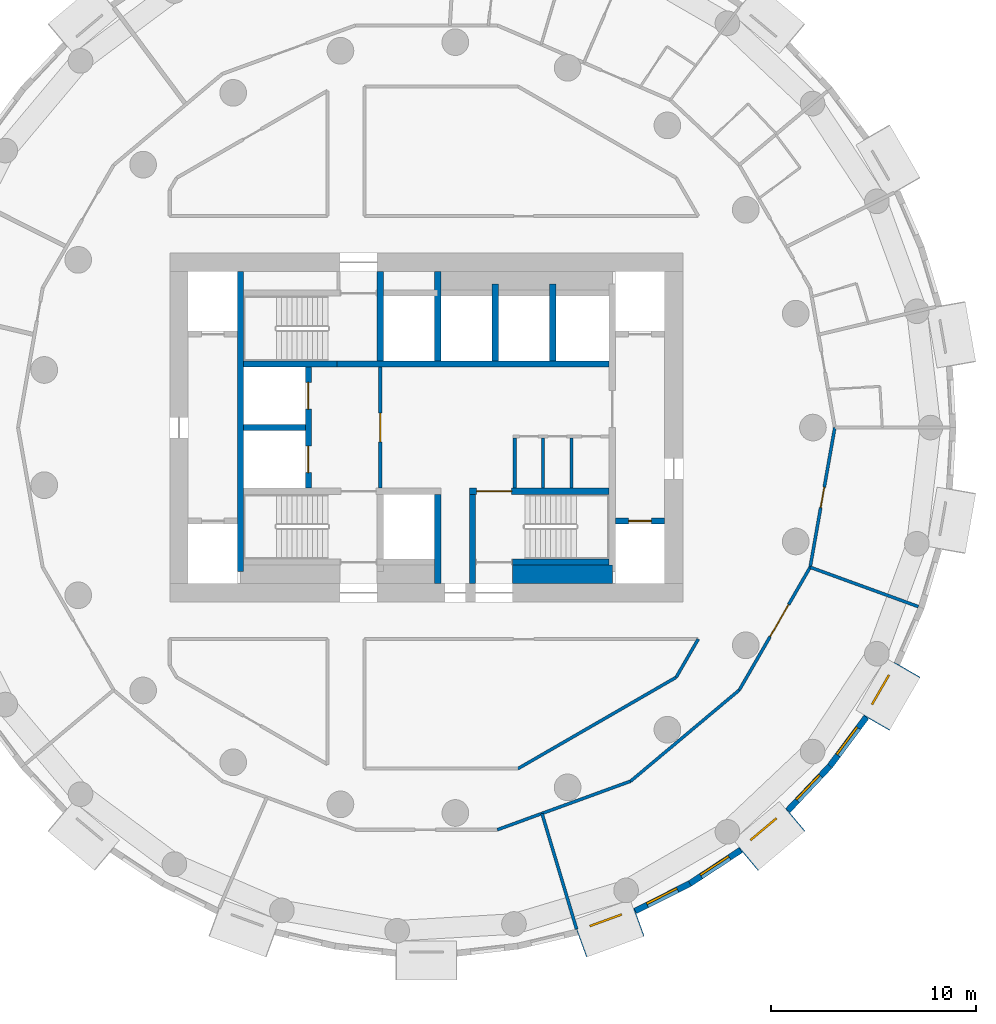
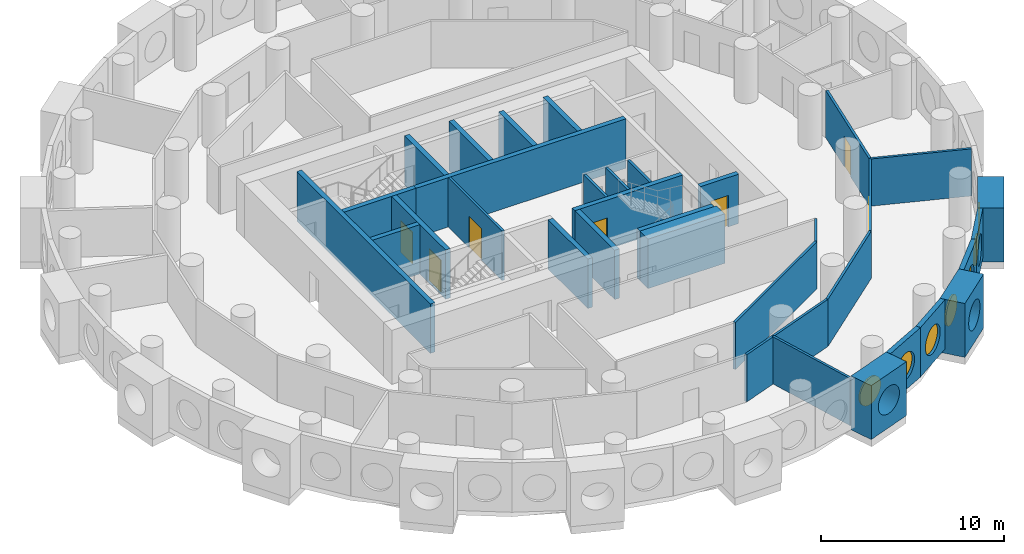
# One storey, part 4 of 10: 34 walls, 7 doors, 7 windows, 14 openings.
"""IFC4 building model written with IfcOpenShell, lengths in metres."""

from ifc_helpers import new_model, si_unit, direction, frame, frame_2d, origin, origin_2d, place, context, subcontext, project, spatial, rectangle, circle, extrude, material, layer, layer_set, type_object, element, fill, save


model = new_model("IFC4")

# Units and contexts
model_context = context("Model", 3, precision=1e-05, world=origin(), true_north=direction((0.0, 1.0)))
body_context = subcontext(model_context, "Body", "Model", "MODEL_VIEW")
ifc_project = project(units=[si_unit("LENGTHUNIT", "METRE"), si_unit("AREAUNIT", "SQUARE_METRE"), si_unit("VOLUMEUNIT", "CUBIC_METRE"), si_unit("PLANEANGLEUNIT", "RADIAN"), si_unit("MASSUNIT", "GRAM", prefix="KILO")], contexts=[model_context])

# Site, building, storey
site_placement = place(None, origin())
site = spatial("IfcSite", under=ifc_project, at=site_placement, CompositionType="ELEMENT")
building_placement = place(site_placement, origin())
building = spatial("IfcBuilding", under=site, at=building_placement, Name="Tracery Tower", CompositionType="ELEMENT")
storey_placement = place(building_placement, frame((0.0, 0.0, 212.39990234375)))
storey = spatial("IfcBuildingStorey", under=building, at=storey_placement, Name="L55", CompositionType="ELEMENT", Elevation=212.39990234375)

# Wall, opening, door
ifc_material_1 = material(Name="Plasterboard on steel studs", Category="steel")
ifc_layer_1 = layer(ifc_material_1, 0.14990234375)
ifc_layer_set_1 = layer_set([ifc_layer_1], Name="Core lobby partition 150")
wall_type_1 = type_object("IfcWallType", Name="Core lobby partition 150", PredefinedType="SOLIDWALL", material=ifc_layer_set_1)
wall_1_placement = place(storey_placement, frame((-2.25, -2.949951171875, 0.0), z_axis=(0.0, 0.0, 1.0), x_axis=(0.0, 1.0, 0.0)))
wall_1 = element("IfcWall", 1, at=wall_1_placement, inside=storey, type_object=wall_type_1, Name="L55 FF lobby E", PredefinedType="SOLIDWALL", context=body_context, shape_type="SweptSolid", body=[
    extrude(rectangle(XDim=5.89990234375, YDim=0.14990234375, at=frame_2d((2.949951171875, 0.0))), origin(), (0.0, 0.0, 1.0), 3.300048828125),
])
opening_1_placement = place(wall_1_placement, frame((2.25, 0.0, 0.0)))
opening_1 = element("IfcOpeningElement", 2, at=opening_1_placement, cuts=wall_1, Name="Opening KD8", PredefinedType="OPENING", context=body_context, shape_type="SweptSolid", body=[
    extrude(rectangle(XDim=1.39990234375, YDim=2.10009765625, at=frame_2d((0.699951171875, 1.050048828125))), frame((0.0, 0.074951171875, 0.0), z_axis=(0.0, -1.0, 0.0), x_axis=(1.0, 0.0, 0.0)), (0.0, 0.0, 1.0), 0.14990234375),
])
ifc_material_2 = material(Name="Steel fire door", Category="steel")
door_type_1 = type_object("IfcDoorType", Name="Core lobby door 1400 double", OperationType="NOTDEFINED", PredefinedType="DOOR", material=ifc_material_2)
door_1_placement = place(opening_1_placement, origin())
door_1 = element("IfcDoor", 3, at=door_1_placement, inside=storey, type_object=door_type_1, Name="Fire-fighting lobby door", OperationType="DOUBLE_DOOR_SINGLE_SWING", OverallHeight=2.10009765625, OverallWidth=1.39990234375, PredefinedType="DOOR", context=body_context, shape_type="SweptSolid", body=[
    extrude(rectangle(XDim=1.39990234375, YDim=2.10009765625, at=frame_2d((0.699951171875, 1.050048828125))), frame((0.0, 0.02490234375, 0.0), z_axis=(0.0, -1.0, 0.0), x_axis=(1.0, 0.0, 0.0)), (0.0, 0.0, 1.0), 0.050048828125),
])
fill(opening_1, door_1)

# Walls
ifc_material_3 = material(Name="Plasterboard on steel studs", Category="steel")
ifc_layer_2 = layer(ifc_material_3, 0.14990234375)
ifc_layer_set_2 = layer_set([ifc_layer_2], Name="Core room partition 150")
wall_type_2 = type_object("IfcWallType", Name="Core room partition 150", PredefinedType="SOLIDWALL", material=ifc_layer_set_2)
for number, where, z_axis, x_axis, name in (
    (4, (4.300048828125, -2.949951171875, 0.0), (0.0, 0.0, 1.0), (0.0, 1.0, 0.0), "L55 slot W"),
    (5, (5.675048828125, -2.949951171875, 0.0), (0.0, 0.0, 1.0), (0.0, 1.0, 0.0), "L55 slot sep 1"),
    (6, (7.074951171875, -2.949951171875, 0.0), (0.0, 0.0, 1.0), (0.0, 1.0, 0.0), "L55 slot sep 2"),
):
    element("IfcWall", number, at=place(storey_placement, frame(where, z_axis=z_axis, x_axis=x_axis)), inside=storey, type_object=wall_type_2, Name=name, PredefinedType="SOLIDWALL", context=body_context, shape_type="SweptSolid", body=[
        extrude(rectangle(XDim=2.449951171875, YDim=0.14990234375, at=frame_2d((1.22509765625, 0.0))), origin(), (0.0, 0.0, 1.0), 3.300048828125),
    ])
ifc_material_4 = material(Name="Concrete C50/60", Category="concrete")
ifc_layer_3 = layer(ifc_material_4, 0.89990234375)
ifc_layer_set_3 = layer_set([ifc_layer_3], Name="Core strip wall 900 C50")
wall_type_3 = type_object("IfcWallType", Name="Core strip wall 900 C50", PredefinedType="SOLIDWALL", material=ifc_layer_set_3)
wall_2_placement = place(storey_placement, frame((4.199951171875, -7.14990234375, 0.0), z_axis=(0.0, 0.0, 1.0), x_axis=(1.0, 0.0, 0.0)))
element("IfcWall", 7, at=wall_2_placement, inside=storey, type_object=wall_type_3, Name="L55 F thick S E", PredefinedType="SOLIDWALL", context=body_context, shape_type="SweptSolid", body=[
    extrude(rectangle(XDim=4.85009765625, YDim=0.89990234375, at=frame_2d((2.425048828125, 0.0))), origin(), (0.0, 0.0, 1.0), 3.300048828125),
])

# Wall, opening, window
ifc_material_5 = material(Name="Precast concrete C50/60", Category="concrete")
ifc_layer_4 = layer(ifc_material_5, 1.449951171875)
ifc_layer_set_4 = layer_set([ifc_layer_4], Name="Deep-set bay unit 3000 x 3600, slab edge 300")
wall_type_4 = type_object("IfcWallType", Name="Deep-set bay unit 3000 x 3600, slab edge 300", PredefinedType="ELEMENTEDWALL", material=ifc_layer_set_4)
wall_3_placement = place(storey_placement, frame((7.544189453125, -25.11328125, -0.2998046875), z_axis=(0.0, 0.0, 1.0), x_axis=(0.939686455819, 0.342037080957, 0.0)))
wall_3 = element("IfcWall", 8, at=wall_3_placement, inside=storey, type_object=wall_type_4, Name="Deep-set bay unit 44 at L55", PredefinedType="ELEMENTEDWALL", context=body_context, shape_type="SweptSolid", body=[
    extrude(rectangle(XDim=3.0, YDim=1.449951171875, at=frame_2d((1.5, 0.0))), origin(), (0.0, 0.0, 1.0), 3.599853515625),
])
opening_2_placement = place(wall_3_placement, frame((1.5, 0.0, 1.85009765625)))
opening_2 = element("IfcOpeningElement", 9, at=opening_2_placement, cuts=wall_3, Name="Opening WN1", PredefinedType="OPENING", context=body_context, shape_type="SweptSolid", body=[
    extrude(circle(Radius=0.9000244140625, at=origin_2d()), frame((0.0, 0.73486328125, 0.0), z_axis=(0.0, -1.0, 0.0), x_axis=(1.0, 0.0, 0.0)), (0.0, 0.0, 1.0), 1.469970703125),
])
ifc_material_6 = material(Name="Aluminium frame with tinted double glazing", Category="aluminium")
window_type = type_object("IfcWindowType", Name="Round window 1800", PartitioningType="SINGLE_PANEL", PredefinedType="WINDOW", material=ifc_material_6)
window_1_placement = place(opening_2_placement, origin())
window_1 = element("IfcWindow", 10, at=window_1_placement, inside=storey, type_object=window_type, Name="Round window 44 at L55", OverallHeight=1.800048828125, OverallWidth=1.800048828125, PartitioningType="SINGLE_PANEL", PredefinedType="WINDOW", context=body_context, shape_type="SweptSolid", body=[
    extrude(circle(Radius=0.9000244140625, at=origin_2d()), frame((0.0, 0.69482421875, 0.0), z_axis=(0.0, -1.0, 0.0), x_axis=(1.0, 0.0, 0.0)), (0.0, 0.0, 1.0), 0.10009765625),
])
fill(opening_2, window_1)

wall_4_placement = place(storey_placement, frame((15.678466796875, -21.0185546875, -0.2998046875), z_axis=(0.0, 0.0, 1.0), x_axis=(0.766022196139, 0.642814121673, 0.0)))
wall_4 = element("IfcWall", 11, at=wall_4_placement, inside=storey, type_object=wall_type_4, Name="Deep-set bay unit 47 at L55", PredefinedType="ELEMENTEDWALL", context=body_context, shape_type="SweptSolid", body=[
    extrude(rectangle(XDim=3.0, YDim=1.449951171875, at=frame_2d((1.5, 0.0))), origin(), (0.0, 0.0, 1.0), 3.599853515625),
])
opening_3_placement = place(wall_4_placement, frame((1.5, 0.0, 1.85009765625)))
opening_3 = element("IfcOpeningElement", 12, at=opening_3_placement, cuts=wall_4, Name="Opening WN1", PredefinedType="OPENING", context=body_context, shape_type="SweptSolid", body=[
    extrude(circle(Radius=0.9000244140625, at=origin_2d()), frame((0.0, 0.73486328125, 0.0), z_axis=(0.0, -1.0, 0.0), x_axis=(1.0, 0.0, 0.0)), (0.0, 0.0, 1.0), 1.469970703125),
])
window_2_placement = place(opening_3_placement, origin())
window_2 = element("IfcWindow", 13, at=window_2_placement, inside=storey, type_object=window_type, Name="Round window 47 at L55", OverallHeight=1.800048828125, OverallWidth=1.800048828125, PartitioningType="SINGLE_PANEL", PredefinedType="WINDOW", context=body_context, shape_type="SweptSolid", body=[
    extrude(circle(Radius=0.9000244140625, at=origin_2d()), frame((0.0, 0.69482421875, 0.0), z_axis=(0.0, -1.0, 0.0), x_axis=(1.0, 0.0, 0.0)), (0.0, 0.0, 1.0), 0.10009765625),
])
fill(opening_3, window_2)

wall_5_placement = place(storey_placement, frame((21.921630859375, -14.388671875, -0.2998046875), z_axis=(0.0, 0.0, 1.0), x_axis=(0.499990139034, 0.866031096941, 0.0)))
wall_5 = element("IfcWall", 14, at=wall_5_placement, inside=storey, type_object=wall_type_4, Name="Deep-set bay unit 50 at L55", PredefinedType="ELEMENTEDWALL", context=body_context, shape_type="SweptSolid", body=[
    extrude(rectangle(XDim=3.0, YDim=1.449951171875, at=frame_2d((1.5, 0.0))), origin(), (0.0, 0.0, 1.0), 3.599853515625),
])
opening_4_placement = place(wall_5_placement, frame((1.5, 0.0, 1.85009765625)))
opening_4 = element("IfcOpeningElement", 15, at=opening_4_placement, cuts=wall_5, Name="Opening WN1", PredefinedType="OPENING", context=body_context, shape_type="SweptSolid", body=[
    extrude(circle(Radius=0.9000244140625, at=origin_2d()), frame((0.0, 0.73486328125, 0.0), z_axis=(0.0, -1.0, 0.0), x_axis=(1.0, 0.0, 0.0)), (0.0, 0.0, 1.0), 1.469970703125),
])
window_3_placement = place(opening_4_placement, origin())
window_3 = element("IfcWindow", 16, at=window_3_placement, inside=storey, type_object=window_type, Name="Round window 50 at L55", OverallHeight=1.800048828125, OverallWidth=1.800048828125, PartitioningType="SINGLE_PANEL", PredefinedType="WINDOW", context=body_context, shape_type="SweptSolid", body=[
    extrude(circle(Radius=0.9000244140625, at=origin_2d()), frame((0.0, 0.69482421875, 0.0), z_axis=(0.0, -1.0, 0.0), x_axis=(1.0, 0.0, 0.0)), (0.0, 0.0, 1.0), 0.10009765625),
])
fill(opening_4, window_3)

ifc_material_7 = material(Name="Precast concrete C50/60", Category="concrete")
ifc_layer_5 = layer(ifc_material_7, 0.300048828125)
ifc_layer_set_5 = layer_set([ifc_layer_5], Name="Facade panel 3000 x 3300")
wall_type_5 = type_object("IfcWallType", Name="Facade panel 3000 x 3300", PredefinedType="SOLIDWALL", material=ifc_layer_set_5)
wall_6_placement = place(storey_placement, frame((10.1669921875, -23.545654296875, 0.0), z_axis=(0.0, 0.0, 1.0), x_axis=(0.893637442555, 0.448789618045, 0.0)))
wall_6 = element("IfcWall", 17, at=wall_6_placement, inside=storey, type_object=wall_type_5, Name="Facade panel 45 at L55", PredefinedType="SOLIDWALL", context=body_context, shape_type="SweptSolid", body=[
    extrude(rectangle(XDim=2.972900390625, YDim=0.300048828125, at=frame_2d((1.486328125, 0.0))), origin(), (0.0, 0.0, 1.0), 3.300048828125),
])
opening_5_placement = place(wall_6_placement, frame((1.486328125, 0.0, 1.5498046875)))
opening_5 = element("IfcOpeningElement", 18, at=opening_5_placement, cuts=wall_6, Name="Opening WN1", PredefinedType="OPENING", context=body_context, shape_type="SweptSolid", body=[
    extrude(circle(Radius=0.9000244140625, at=origin_2d()), frame((0.0, 0.159912109375, 0.0), z_axis=(0.0, -1.0, 0.0), x_axis=(1.0, 0.0, 0.0)), (0.0, 0.0, 1.0), 0.320068359375),
])
window_4_placement = place(opening_5_placement, origin())
window_4 = element("IfcWindow", 19, at=window_4_placement, inside=storey, type_object=window_type, Name="Round window 45 at L55", OverallHeight=1.800048828125, OverallWidth=1.800048828125, PartitioningType="SINGLE_PANEL", PredefinedType="WINDOW", context=body_context, shape_type="SweptSolid", body=[
    extrude(circle(Radius=0.9000244140625, at=origin_2d()), frame((0.0, 0.1201171875, 0.0), z_axis=(0.0, -1.0, 0.0), x_axis=(1.0, 0.0, 0.0)), (0.0, 0.0, 1.0), 0.10009765625),
])
fill(opening_5, window_4)

wall_7_placement = place(storey_placement, frame((12.82373046875, -22.21142578125, 0.0), z_axis=(0.0, 0.0, 1.0), x_axis=(0.835470659512, 0.549535055382, 0.0)))
wall_7 = element("IfcWall", 20, at=wall_7_placement, inside=storey, type_object=wall_type_5, Name="Facade panel 46 at L55", PredefinedType="SOLIDWALL", context=body_context, shape_type="SweptSolid", body=[
    extrude(rectangle(XDim=2.97314453125, YDim=0.300048828125, at=frame_2d((1.486572265625, 0.0))), origin(), (0.0, 0.0, 1.0), 3.300048828125),
])
opening_6_placement = place(wall_7_placement, frame((1.486328125, 0.0, 1.5498046875)))
opening_6 = element("IfcOpeningElement", 21, at=opening_6_placement, cuts=wall_7, Name="Opening WN1", PredefinedType="OPENING", context=body_context, shape_type="SweptSolid", body=[
    extrude(circle(Radius=0.9000244140625, at=origin_2d()), frame((0.0, 0.159912109375, 0.0), z_axis=(0.0, -1.0, 0.0), x_axis=(1.0, 0.0, 0.0)), (0.0, 0.0, 1.0), 0.320068359375),
])
window_5_placement = place(opening_6_placement, origin())
window_5 = element("IfcWindow", 22, at=window_5_placement, inside=storey, type_object=window_type, Name="Round window 46 at L55", OverallHeight=1.800048828125, OverallWidth=1.800048828125, PartitioningType="SINGLE_PANEL", PredefinedType="WINDOW", context=body_context, shape_type="SweptSolid", body=[
    extrude(circle(Radius=0.9000244140625, at=origin_2d()), frame((0.0, 0.1201171875, 0.0), z_axis=(0.0, -1.0, 0.0), x_axis=(1.0, 0.0, 0.0)), (0.0, 0.0, 1.0), 0.10009765625),
])
fill(opening_6, window_5)

wall_8_placement = place(storey_placement, frame((17.60693359375, -18.648193359375, 0.0), z_axis=(0.0, 0.0, 1.0), x_axis=(0.686235184166, 0.727379730273, 0.0)))
wall_8 = element("IfcWall", 23, at=wall_8_placement, inside=storey, type_object=wall_type_5, Name="Facade panel 48 at L55", PredefinedType="SOLIDWALL", context=body_context, shape_type="SweptSolid", body=[
    extrude(rectangle(XDim=2.972900390625, YDim=0.300048828125, at=frame_2d((1.486328125, 0.0))), origin(), (0.0, 0.0, 1.0), 3.300048828125),
])
opening_7_placement = place(wall_8_placement, frame((1.486328125, 0.0, 1.5498046875)))
opening_7 = element("IfcOpeningElement", 24, at=opening_7_placement, cuts=wall_8, Name="Opening WN1", PredefinedType="OPENING", context=body_context, shape_type="SweptSolid", body=[
    extrude(circle(Radius=0.9000244140625, at=origin_2d()), frame((0.0, 0.159912109375, 0.0), z_axis=(0.0, -1.0, 0.0), x_axis=(1.0, 0.0, 0.0)), (0.0, 0.0, 1.0), 0.320068359375),
])
window_6_placement = place(opening_7_placement, origin())
window_6 = element("IfcWindow", 25, at=window_6_placement, inside=storey, type_object=window_type, Name="Round window 48 at L55", OverallHeight=1.800048828125, OverallWidth=1.800048828125, PartitioningType="SINGLE_PANEL", PredefinedType="WINDOW", context=body_context, shape_type="SweptSolid", body=[
    extrude(circle(Radius=0.9000244140625, at=origin_2d()), frame((0.0, 0.1201171875, 0.0), z_axis=(0.0, -1.0, 0.0), x_axis=(1.0, 0.0, 0.0)), (0.0, 0.0, 1.0), 0.10009765625),
])
fill(opening_7, window_6)

wall_9_placement = place(storey_placement, frame((19.64697265625, -16.48583984375, 0.0), z_axis=(0.0, 0.0, 1.0), x_axis=(0.597197580538, 0.80209416517, 0.0)))
wall_9 = element("IfcWall", 26, at=wall_9_placement, inside=storey, type_object=wall_type_5, Name="Facade panel 49 at L55", PredefinedType="SOLIDWALL", context=body_context, shape_type="SweptSolid", body=[
    extrude(rectangle(XDim=2.972900390625, YDim=0.300048828125, at=frame_2d((1.486328125, 0.0))), origin(), (0.0, 0.0, 1.0), 3.300048828125),
])
opening_8_placement = place(wall_9_placement, frame((1.486328125, 0.0, 1.5498046875)))
opening_8 = element("IfcOpeningElement", 27, at=opening_8_placement, cuts=wall_9, Name="Opening WN1", PredefinedType="OPENING", context=body_context, shape_type="SweptSolid", body=[
    extrude(circle(Radius=0.9000244140625, at=origin_2d()), frame((0.0, 0.159912109375, 0.0), z_axis=(0.0, -1.0, 0.0), x_axis=(1.0, 0.0, 0.0)), (0.0, 0.0, 1.0), 0.320068359375),
])
window_7_placement = place(opening_8_placement, origin())
window_7 = element("IfcWindow", 28, at=window_7_placement, inside=storey, type_object=window_type, Name="Round window 49 at L55", OverallHeight=1.800048828125, OverallWidth=1.800048828125, PartitioningType="SINGLE_PANEL", PredefinedType="WINDOW", context=body_context, shape_type="SweptSolid", body=[
    extrude(circle(Radius=0.9000244140625, at=origin_2d()), frame((0.0, 0.1201171875, 0.0), z_axis=(0.0, -1.0, 0.0), x_axis=(1.0, 0.0, 0.0)), (0.0, 0.0, 1.0), 0.10009765625),
])
fill(opening_8, window_7)

# Walls
ifc_material_8 = material(Name="Plasterboard on steel studs", Category="steel")
ifc_layer_6 = layer(ifc_material_8, 0.14990234375)
ifc_layer_set_6 = layer_set([ifc_layer_6], Name="Partition 150 acoustic unit wall")
wall_type_6 = type_object("IfcWallType", Name="Partition 150 acoustic unit wall", PredefinedType="PARTITIONING", material=ifc_layer_set_6)
wall_10_placement = place(storey_placement, frame((5.626953125, -18.794921875, 0.0), z_axis=(0.0, 0.0, 1.0), x_axis=(0.286833432865, -0.957980470464, 0.0)))
element("IfcWall", 29, at=wall_10_placement, inside=storey, type_object=wall_type_6, Name="Unit wall RB9-068", PredefinedType="PARTITIONING", context=body_context, shape_type="SweptSolid", body=[
    extrude(rectangle(XDim=5.878173828125, YDim=0.14990234375, at=frame_2d((2.93896484375, 0.0))), origin(), (0.0, 0.0, 1.0), 3.150146484375),
])
wall_11_placement = place(storey_placement, frame((18.68798828125, -6.802001953125, 0.0), z_axis=(0.0, 0.0, 1.0), x_axis=(0.939686652043, -0.342036541866, 0.0)))
element("IfcWall", 30, at=wall_11_placement, inside=storey, type_object=wall_type_6, Name="Unit wall RB9-069", PredefinedType="PARTITIONING", context=body_context, shape_type="SweptSolid", body=[
    extrude(rectangle(XDim=5.6103515625, YDim=0.14990234375, at=frame_2d((2.80517578125, 0.0))), origin(), (0.0, 0.0, 1.0), 3.150146484375),
])
ifc_material_9 = material(Name="Plasterboard on steel studs", Category="steel")
ifc_layer_7 = layer(ifc_material_9, 0.14990234375)
ifc_layer_set_7 = layer_set([ifc_layer_7], Name="Partition 150 corridor wall")
wall_type_7 = type_object("IfcWallType", Name="Partition 150 corridor wall", PredefinedType="PARTITIONING", material=ifc_layer_set_7)
wall_12_placement = place(storey_placement, frame((12.162109375, -12.162109375, 0.0), z_axis=(0.0, 0.0, 1.0), x_axis=(0.499961633463, 0.866047553582, 0.0)))
element("IfcWall", 31, at=wall_12_placement, inside=storey, type_object=wall_type_7, Name="Corridor wall RB9-006", PredefinedType="PARTITIONING", context=body_context, shape_type="SweptSolid", body=[
    extrude(rectangle(XDim=2.150146484375, YDim=0.14990234375, at=frame_2d((1.0751953125, 0.0))), origin(), (0.0, 0.0, 1.0), 3.150146484375),
])

# Wall, opening, door
wall_13_placement = place(storey_placement, frame((15.235107421875, -12.783935546875, 0.0), z_axis=(0.0, 0.0, 1.0), x_axis=(0.499914202267, 0.866074933462, 0.0)))
wall_13 = element("IfcWall", 32, at=wall_13_placement, inside=storey, type_object=wall_type_7, Name="Corridor wall RB9-010", PredefinedType="PARTITIONING", context=body_context, shape_type="SweptSolid", body=[
    extrude(rectangle(XDim=6.906982421875, YDim=0.14990234375, at=frame_2d((3.45361328125, 0.0))), origin(), (0.0, 0.0, 1.0), 3.150146484375),
])
opening_9_placement = place(wall_13_placement, frame((3.003173828125, 0.0, 0.0)))
opening_9 = element("IfcOpeningElement", 33, at=opening_9_placement, cuts=wall_13, Name="Opening RB9-24", PredefinedType="OPENING", context=body_context, shape_type="SweptSolid", body=[
    extrude(rectangle(XDim=1.800048828125, YDim=2.10009765625, at=frame_2d((0.89990234375, 1.050048828125))), frame((0.0, 0.074951171875, 0.0), z_axis=(0.0, -1.0, 0.0), x_axis=(1.0, 0.0, 0.0)), (0.0, 0.0, 1.0), 0.14990234375),
])
ifc_material_10 = material(Name="Timber door leaf", Category="wood")
door_type_2 = type_object("IfcDoorType", Name="Door double lounge 1800", OperationType="NOTDEFINED", PredefinedType="DOOR", material=ifc_material_10)
door_2_placement = place(opening_9_placement, origin())
door_2 = element("IfcDoor", 34, at=door_2_placement, inside=storey, type_object=door_type_2, Name="Double lounge door RB9-24", OperationType="DOUBLE_DOOR_SINGLE_SWING", OverallHeight=2.10009765625, OverallWidth=1.800048828125, PredefinedType="DOOR", context=body_context, shape_type="SweptSolid", body=[
    extrude(rectangle(XDim=1.800048828125, YDim=2.10009765625, at=frame_2d((0.89990234375, 1.050048828125))), frame((0.0, 0.02490234375, 0.0), z_axis=(0.0, -1.0, 0.0), x_axis=(1.0, 0.0, 0.0)), (0.0, 0.0, 1.0), 0.050048828125),
])
fill(opening_9, door_2)

# Wall
wall_14_placement = place(storey_placement, frame((9.943359375, -17.22216796875, 0.0), z_axis=(0.0, 0.0, 1.0), x_axis=(0.766192104565, 0.642611592567, 0.0)))
element("IfcWall", 35, at=wall_14_placement, inside=storey, type_object=wall_type_7, Name="Corridor wall RB9-011", PredefinedType="PARTITIONING", context=body_context, shape_type="SweptSolid", body=[
    extrude(rectangle(XDim=6.906494140625, YDim=0.14990234375, at=frame_2d((3.453125, 0.0))), origin(), (0.0, 0.0, 1.0), 3.150146484375),
])

# Wall, opening, door
wall_15_placement = place(storey_placement, frame((18.68798828125, -6.802001953125, 0.0), z_axis=(0.0, 0.0, 1.0), x_axis=(0.173728873845, 0.98479352069, 0.0)))
wall_15 = element("IfcWall", 36, at=wall_15_placement, inside=storey, type_object=wall_type_7, Name="Corridor wall RB9-012", PredefinedType="PARTITIONING", context=body_context, shape_type="SweptSolid", body=[
    extrude(rectangle(XDim=6.906982421875, YDim=0.14990234375, at=frame_2d((3.45361328125, 0.0))), origin(), (0.0, 0.0, 1.0), 3.150146484375),
])
opening_10_placement = place(wall_15_placement, frame((2.952880859375, 0.0, 0.0)))
opening_10 = element("IfcOpeningElement", 37, at=opening_10_placement, cuts=wall_15, Name="Opening RB9-25", PredefinedType="OPENING", context=body_context, shape_type="SweptSolid", body=[
    extrude(rectangle(XDim=1.0, YDim=2.0400390625, at=frame_2d((0.5, 1.02001953125))), frame((0.0, 0.074951171875, 0.0), z_axis=(0.0, -1.0, 0.0), x_axis=(1.0, 0.0, 0.0)), (0.0, 0.0, 1.0), 0.14990234375),
])
ifc_material_11 = material(Name="Timber door leaf", Category="wood")
door_type_3 = type_object("IfcDoorType", Name="Door communal room 1000", OperationType="NOTDEFINED", PredefinedType="DOOR", material=ifc_material_11)
door_3_placement = place(opening_10_placement, origin())
door_3 = element("IfcDoor", 38, at=door_3_placement, inside=storey, type_object=door_type_3, Name="Communal room door RB9-25", OperationType="SINGLE_SWING_RIGHT", OverallHeight=2.0400390625, OverallWidth=1.0, PredefinedType="DOOR", context=body_context, shape_type="SweptSolid", body=[
    extrude(rectangle(XDim=1.0, YDim=2.0400390625, at=frame_2d((0.5, 1.02001953125))), frame((0.0, 0.02490234375, 0.0), z_axis=(0.0, -1.0, 0.0), x_axis=(1.0, 0.0, 0.0)), (0.0, 0.0, 1.0), 0.050048828125),
])
fill(opening_10, door_3)

# Walls
wall_16_placement = place(storey_placement, frame((4.451904296875, -16.614013671875, 0.0), z_axis=(0.0, 0.0, 1.0), x_axis=(0.866005203721, 0.500034985904, 0.0)))
element("IfcWall", 39, at=wall_16_placement, inside=storey, type_object=wall_type_7, Name="Corridor wall RB9-035", PredefinedType="PARTITIONING", context=body_context, shape_type="SweptSolid", body=[
    extrude(rectangle(XDim=8.903076171875, YDim=0.14990234375, at=frame_2d((4.45166015625, 0.0))), origin(), (0.0, 0.0, 1.0), 3.150146484375),
])
wall_17_placement = place(storey_placement, frame((3.452880859375, -19.5859375, 0.0), z_axis=(0.0, 0.0, 1.0), x_axis=(0.939607544688, 0.342253797591, 0.0)))
element("IfcWall", 40, at=wall_17_placement, inside=storey, type_object=wall_type_7, Name="Corridor wall RB9-037", PredefinedType="PARTITIONING", context=body_context, shape_type="SweptSolid", body=[
    extrude(rectangle(XDim=6.907958984375, YDim=0.14990234375, at=frame_2d((3.4541015625, 0.0))), origin(), (0.0, 0.0, 1.0), 3.150146484375),
])
ifc_material_12 = material(Name="Concrete C50/60", Category="concrete")
ifc_layer_8 = layer(ifc_material_12, 0.300048828125)
ifc_layer_set_8 = layer_set([ifc_layer_8], Name="Shaft wall 300 C50")
wall_type_8 = type_object("IfcWallType", Name="Shaft wall 300 C50", PredefinedType="SOLIDWALL", material=ifc_layer_set_8)
wall_18_placement = place(storey_placement, frame((-8.89990234375, 0.0, 0.0), z_axis=(0.0, 0.0, 1.0), x_axis=(1.0, 0.0, 0.0)))
element("IfcWall", 41, at=wall_18_placement, inside=storey, type_object=wall_type_8, Name="L55 FF split", PredefinedType="SOLIDWALL", context=body_context, shape_type="SweptSolid", body=[
    extrude(rectangle(XDim=3.0, YDim=0.300048828125, at=frame_2d((1.5, 0.0))), origin(), (0.0, 0.0, 1.0), 3.300048828125),
])

# Wall, openings, doors
wall_19_placement = place(storey_placement, frame((-5.75, -2.949951171875, 0.0), z_axis=(0.0, 0.0, 1.0), x_axis=(0.0, 1.0, 0.0)))
wall_19 = element("IfcWall", 42, at=wall_19_placement, inside=storey, type_object=wall_type_8, Name="L55 FF doors", PredefinedType="SOLIDWALL", context=body_context, shape_type="SweptSolid", body=[
    extrude(rectangle(XDim=5.89990234375, YDim=0.300048828125, at=frame_2d((2.949951171875, 0.0))), origin(), (0.0, 0.0, 1.0), 3.300048828125),
])
opening_11_placement = place(wall_19_placement, frame((0.75, 0.0, 0.0)))
opening_11 = element("IfcOpeningElement", 43, at=opening_11_placement, cuts=wall_19, Name="Opening KD54", PredefinedType="OPENING", context=body_context, shape_type="SweptSolid", body=[
    extrude(rectangle(XDim=1.300048828125, YDim=2.10009765625, at=frame_2d((0.64990234375, 1.050048828125))), frame((0.0, 0.14990234375, 0.0), z_axis=(0.0, -1.0, 0.0), x_axis=(1.0, 0.0, 0.0)), (0.0, 0.0, 1.0), 0.300048828125),
])
opening_12_placement = place(wall_19_placement, frame((3.85009765625, 0.0, 0.0)))
opening_12 = element("IfcOpeningElement", 44, at=opening_12_placement, cuts=wall_19, Name="Opening KD55", PredefinedType="OPENING", context=body_context, shape_type="SweptSolid", body=[
    extrude(rectangle(XDim=1.300048828125, YDim=2.10009765625, at=frame_2d((0.64990234375, 1.050048828125))), frame((0.0, 0.14990234375, 0.0), z_axis=(0.0, -1.0, 0.0), x_axis=(1.0, 0.0, 0.0)), (0.0, 0.0, 1.0), 0.300048828125),
])
ifc_material_13 = material(Name="Steel fire door", Category="steel")
door_type_4 = type_object("IfcDoorType", Name="Landing door FF 1300", OperationType="NOTDEFINED", PredefinedType="DOOR", material=ifc_material_13)
door_4_placement = place(opening_11_placement, origin())
door_4 = element("IfcDoor", 45, at=door_4_placement, inside=storey, type_object=door_type_4, Name="Landing door FF1", OperationType="SLIDING_TO_LEFT", OverallHeight=2.10009765625, OverallWidth=1.300048828125, PredefinedType="DOOR", context=body_context, shape_type="SweptSolid", body=[
    extrude(rectangle(XDim=1.300048828125, YDim=2.10009765625, at=frame_2d((0.64990234375, 1.050048828125))), frame((0.0, 0.02490234375, 0.0), z_axis=(0.0, -1.0, 0.0), x_axis=(1.0, 0.0, 0.0)), (0.0, 0.0, 1.0), 0.050048828125),
])
fill(opening_11, door_4)
door_5_placement = place(opening_12_placement, origin())
door_5 = element("IfcDoor", 46, at=door_5_placement, inside=storey, type_object=door_type_4, Name="Landing door FF2", OperationType="SLIDING_TO_RIGHT", OverallHeight=2.10009765625, OverallWidth=1.300048828125, PredefinedType="DOOR", context=body_context, shape_type="SweptSolid", body=[
    extrude(rectangle(XDim=1.300048828125, YDim=2.10009765625, at=frame_2d((0.64990234375, 1.050048828125))), frame((0.0, 0.02490234375, 0.0), z_axis=(0.0, -1.0, 0.0), x_axis=(1.0, 0.0, 0.0)), (0.0, 0.0, 1.0), 0.050048828125),
])
fill(opening_12, door_5)

# Walls
for number, where, z_axis, x_axis, name in (
    (47, (0.550048828125, -7.60009765625, 0.0), (0.0, 0.0, 1.0), (0.0, 1.0, 0.0), "L55 OB2 E"),
    (48, (0.550048828125, 3.25, 0.0), (0.0, 0.0, 1.0), (0.0, 1.0, 0.0), "L55 HR sep 1"),
):
    element("IfcWall", number, at=place(storey_placement, frame(where, z_axis=z_axis, x_axis=x_axis)), inside=storey, type_object=wall_type_8, Name=name, PredefinedType="SOLIDWALL", context=body_context, shape_type="SweptSolid", body=[
        extrude(rectangle(XDim=4.35009765625, YDim=0.300048828125, at=frame_2d((2.175048828125, 0.0))), origin(), (0.0, 0.0, 1.0), 3.300048828125),
    ])
for number, where, z_axis, x_axis, name in (
    (49, (3.35009765625, 3.25, 0.0), (0.0, 0.0, 1.0), (0.0, 1.0, 0.0), "L55 HR sep 2"),
    (50, (6.14990234375, 3.25, 0.0), (0.0, 0.0, 1.0), (0.0, 1.0, 0.0), "L55 HR sep 3"),
):
    element("IfcWall", number, at=place(storey_placement, frame(where, z_axis=z_axis, x_axis=x_axis)), inside=storey, type_object=wall_type_8, Name=name, PredefinedType="SOLIDWALL", context=body_context, shape_type="SweptSolid", body=[
        extrude(rectangle(XDim=3.75, YDim=0.300048828125, at=frame_2d((1.875, 0.0))), origin(), (0.0, 0.0, 1.0), 3.300048828125),
    ])

# Wall, opening, door
wall_20_placement = place(storey_placement, frame((9.199951171875, -4.550048828125, 0.0), z_axis=(0.0, 0.0, 1.0), x_axis=(1.0, 0.0, 0.0)))
wall_20 = element("IfcWall", 51, at=wall_20_placement, inside=storey, type_object=wall_type_8, Name="L55 MR E -4.55", PredefinedType="SOLIDWALL", context=body_context, shape_type="SweptSolid", body=[
    extrude(rectangle(XDim=2.400146484375, YDim=0.300048828125, at=frame_2d((1.2001953125, 0.0))), origin(), (0.0, 0.0, 1.0), 3.300048828125),
])
opening_13_placement = place(wall_20_placement, frame((0.64990234375, 0.0, 0.0)))
opening_13 = element("IfcOpeningElement", 52, at=opening_13_placement, cuts=wall_20, Name="Opening KD50", PredefinedType="OPENING", context=body_context, shape_type="SweptSolid", body=[
    extrude(rectangle(XDim=1.10009765625, YDim=2.10009765625, at=frame_2d((0.550048828125, 1.050048828125))), frame((0.0, 0.14990234375, 0.0), z_axis=(0.0, -1.0, 0.0), x_axis=(1.0, 0.0, 0.0)), (0.0, 0.0, 1.0), 0.300048828125),
])
ifc_material_14 = material(Name="Steel fire door", Category="steel")
door_type_5 = type_object("IfcDoorType", Name="Landing door 1100", OperationType="NOTDEFINED", PredefinedType="DOOR", material=ifc_material_14)
door_6_placement = place(opening_13_placement, origin())
door_6 = element("IfcDoor", 53, at=door_6_placement, inside=storey, type_object=door_type_5, Name="Landing door MR3", OperationType="SLIDING_TO_RIGHT", OverallHeight=2.10009765625, OverallWidth=1.10009765625, PredefinedType="DOOR", context=body_context, shape_type="SweptSolid", body=[
    extrude(rectangle(XDim=1.10009765625, YDim=2.10009765625, at=frame_2d((0.550048828125, 1.050048828125))), frame((0.0, 0.02490234375, 0.0), z_axis=(0.0, -1.0, 0.0), x_axis=(1.0, 0.0, 0.0)), (0.0, 0.0, 1.0), 0.050048828125),
])
fill(opening_13, door_6)

ifc_material_15 = material(Name="Concrete C50/60", Category="concrete")
ifc_layer_9 = layer(ifc_material_15, 0.300048828125)
ifc_layer_set_9 = layer_set([ifc_layer_9], Name="Stair wall 300 C50")
wall_type_9 = type_object("IfcWallType", Name="Stair wall 300 C50", PredefinedType="SOLIDWALL", material=ifc_layer_set_9)
wall_21_placement = place(storey_placement, frame((2.10009765625, -3.10009765625, 0.0), z_axis=(0.0, 0.0, 1.0), x_axis=(1.0, 0.0, 0.0)))
wall_21 = element("IfcWall", 54, at=wall_21_placement, inside=storey, type_object=wall_type_9, Name="L55 row S E", PredefinedType="SOLIDWALL", context=body_context, shape_type="SweptSolid", body=[
    extrude(rectangle(XDim=6.7998046875, YDim=0.300048828125, at=frame_2d((3.39990234375, 0.0))), origin(), (0.0, 0.0, 1.0), 3.300048828125),
])
opening_14_placement = place(wall_21_placement, frame((0.35009765625, 0.0, 0.0)))
opening_14 = element("IfcOpeningElement", 55, at=opening_14_placement, cuts=wall_21, Name="Opening KD3", PredefinedType="OPENING", context=body_context, shape_type="SweptSolid", body=[
    extrude(rectangle(XDim=1.699951171875, YDim=2.10009765625, at=frame_2d((0.85009765625, 1.050048828125))), frame((0.0, 0.14990234375, 0.0), z_axis=(0.0, -1.0, 0.0), x_axis=(1.0, 0.0, 0.0)), (0.0, 0.0, 1.0), 0.300048828125),
])
ifc_material_16 = material(Name="Steel fire door", Category="steel")
door_type_6 = type_object("IfcDoorType", Name="Core stair door 1700 double", OperationType="NOTDEFINED", PredefinedType="DOOR", material=ifc_material_16)
door_7_placement = place(opening_14_placement, origin())
door_7 = element("IfcDoor", 56, at=door_7_placement, inside=storey, type_object=door_type_6, Name="Stair door ST2", OperationType="DOUBLE_DOOR_SINGLE_SWING", OverallHeight=2.10009765625, OverallWidth=1.699951171875, PredefinedType="DOOR", context=body_context, shape_type="SweptSolid", body=[
    extrude(rectangle(XDim=1.699951171875, YDim=2.10009765625, at=frame_2d((0.85009765625, 1.050048828125))), frame((0.0, 0.02490234375, 0.0), z_axis=(0.0, -1.0, 0.0), x_axis=(1.0, 0.0, 0.0)), (0.0, 0.0, 1.0), 0.050048828125),
])
fill(opening_14, door_7)

# Walls
wall_22_placement = place(storey_placement, frame((-8.89990234375, 3.10009765625, 0.0), z_axis=(0.0, 0.0, 1.0), x_axis=(1.0, 0.0, 0.0)))
element("IfcWall", 57, at=wall_22_placement, inside=storey, type_object=wall_type_9, Name="L55 row N W", PredefinedType="SOLIDWALL", context=body_context, shape_type="SweptSolid", body=[
    extrude(rectangle(XDim=4.5498046875, YDim=0.300048828125, at=frame_2d((2.27490234375, 0.0))), origin(), (0.0, 0.0, 1.0), 3.300048828125),
])
wall_23_placement = place(storey_placement, frame((-4.35009765625, 3.10009765625, 0.0), z_axis=(0.0, 0.0, 1.0), x_axis=(1.0, 0.0, 0.0)))
element("IfcWall", 58, at=wall_23_placement, inside=storey, type_object=wall_type_9, Name="L55 row N", PredefinedType="SOLIDWALL", context=body_context, shape_type="SweptSolid", body=[
    extrude(rectangle(XDim=13.25, YDim=0.300048828125, at=frame_2d((6.625, 0.0))), origin(), (0.0, 0.0, 1.0), 3.300048828125),
])
for number, where, z_axis, x_axis, name in (
    (59, (-2.25, 3.25, 0.0), (0.0, 0.0, 1.0), (0.0, 1.0, 0.0), "L55 ST3 E"),
    (60, (2.25, -7.60009765625, 0.0), (0.0, 0.0, 1.0), (0.0, 1.0, 0.0), "L55 ST2 W"),
):
    element("IfcWall", number, at=place(storey_placement, frame(where, z_axis=z_axis, x_axis=x_axis)), inside=storey, type_object=wall_type_9, Name=name, PredefinedType="SOLIDWALL", context=body_context, shape_type="SweptSolid", body=[
        extrude(rectangle(XDim=4.35009765625, YDim=0.300048828125, at=frame_2d((2.175048828125, 0.0))), origin(), (0.0, 0.0, 1.0), 3.300048828125),
    ])
wall_24_placement = place(storey_placement, frame((-9.050048828125, -7.0, 0.0), z_axis=(0.0, 0.0, 1.0), x_axis=(0.0, 1.0, 0.0)))
element("IfcWall", 61, at=wall_24_placement, inside=storey, type_object=wall_type_9, Name="L55 F wall -9", PredefinedType="SOLIDWALL", context=body_context, shape_type="SweptSolid", body=[
    extrude(rectangle(XDim=14.60009765625, YDim=0.300048828125, at=frame_2d((7.300048828125, 0.0))), origin(), (0.0, 0.0, 1.0), 3.300048828125),
])
wall_25_placement = place(storey_placement, frame((4.199951171875, -6.550048828125, 0.0), z_axis=(0.0, 0.0, 1.0), x_axis=(1.0, 0.0, 0.0)))
element("IfcWall", 62, at=wall_25_placement, inside=storey, type_object=wall_type_9, Name="L55 F stair strip S E", PredefinedType="SOLIDWALL", context=body_context, shape_type="SweptSolid", body=[
    extrude(rectangle(XDim=4.699951171875, YDim=0.300048828125, at=frame_2d((2.35009765625, 0.0))), origin(), (0.0, 0.0, 1.0), 3.300048828125),
])

save(model, "model.ifc")
